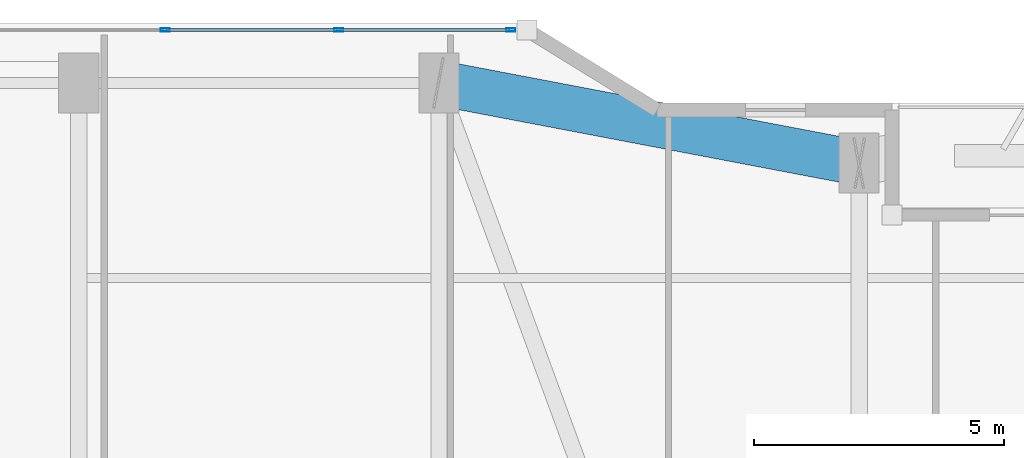
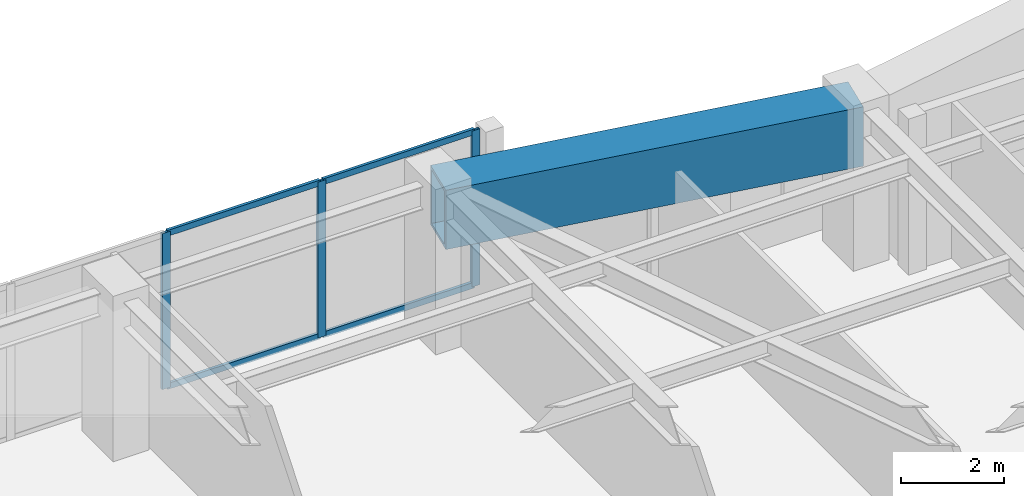
# One storey, part 19 of 30: 7 members, 1 beam, 1 element without a shape of its own.
"""IFC4 building model written with IfcOpenShell, lengths in metres."""

from ifc_helpers import new_model, si_unit, direction, frame, origin, origin_2d, place, context, subcontext, project, spatial, hollow_rectangle, extrude, material, layer, layer_set, material_profile, profile_set, type_object, element, aggregate, save


model = new_model("IFC4")

# Units and contexts
model_context = context("Model", 3, precision=1e-05, world=origin(), true_north=direction((0.0, 1.0)))
body_context = subcontext(model_context, "Body", "Model", "MODEL_VIEW")
ifc_project = project(units=[si_unit("LENGTHUNIT", "METRE"), si_unit("AREAUNIT", "SQUARE_METRE"), si_unit("VOLUMEUNIT", "CUBIC_METRE"), si_unit("PLANEANGLEUNIT", "RADIAN"), si_unit("MASSUNIT", "GRAM", prefix="KILO")], contexts=[model_context])

# Site, building, storey
site_placement = place(None, origin())
site = spatial("IfcSite", under=ifc_project, at=site_placement, CompositionType="ELEMENT")
building_placement = place(site_placement, origin())
building = spatial("IfcBuilding", under=site, at=building_placement, Name="Kiyonajd Concourse Tower", CompositionType="ELEMENT")
storey_placement = place(building_placement, frame((0.0, 0.0, 177.89990234375)))
storey = spatial("IfcBuildingStorey", under=building, at=storey_placement, Name="L45", CompositionType="ELEMENT", Elevation=177.89990234375)

# Beam
ifc_material_1 = material(Name="Steel ASTM A572 Grade 50", Category="steel")
ifc_material_profile_1 = material_profile(ifc_material_1, hollow_rectangle(XDim=0.89990234375, YDim=1.39990234375, WallThickness=0.070068359375, at=origin_2d()), Name="BOX-1400x900x70")
ifc_profile_set_1 = profile_set([ifc_material_profile_1], Name="Steel ASTM A572 Grade 50")
beam_type = type_object("IfcBeamType", Name="BM-XFER-1400", PredefinedType="BEAM", material=ifc_profile_set_1)
beam_placement = place(storey_placement, frame((48.0, 59.60009765625, 2.97998046875), z_axis=(-0.982341315253, 0.187097675953, 0.0), x_axis=(-0.187097675953, -0.982341315253, 0.0)))
element("IfcBeam", 1, at=beam_placement, inside=storey, type_object=beam_type, Name="L45 Perimeter Bundled Tube Spandrel", PredefinedType="BEAM", context=body_context, shape_type="SweptSolid", body=[
    extrude(hollow_rectangle(XDim=0.89990234375, YDim=1.39990234375, WallThickness=0.070068359375, at=origin_2d()), origin(), (0.0, 0.0, 1.0), 8.55078125),
])

# Curtain wall, members
ifc_material_2 = material(Name="Thermally Broken Anodised Aluminium", Category="aluminium")
ifc_layer = layer(ifc_material_2, 0.179931640625)
ifc_layer_set = layer_set([ifc_layer], Name="Thermally Broken Anodised Aluminium")
curtain_wall_type = type_object("IfcCurtainWallType", Name="CW-SYS-03", PredefinedType="NOTDEFINED", material=ifc_layer_set)
curtain_wall_placement = place(storey_placement, origin())
curtain_wall = element("IfcCurtainWall", 2, at=curtain_wall_placement, inside=storey, type_object=curtain_wall_type, Name="L45 Unitised Curtain Wall CW3", PredefinedType="NOTDEFINED")
ifc_material_profile_2 = material_profile(ifc_material_2, hollow_rectangle(XDim=0.06494140625, YDim=0.179931640625, WallThickness=0.00390625, at=origin_2d()), Name="MULL-65x180")
ifc_profile_set_2 = profile_set([ifc_material_profile_2], Name="Thermally Broken Anodised Aluminium")
member_type_1 = type_object("IfcMemberType", Name="MB-CW-MULL1", PredefinedType="MULLION", material=ifc_profile_set_2)
member_1_placement = place(storey_placement, frame((34.12548828125, 62.260009765625, 0.0), z_axis=(0.0, 0.0, 1.0), x_axis=(0.0, 1.0, 0.0)))
member_1 = element("IfcMember", 3, at=member_1_placement, type_object=member_type_1, Name="CW3 mullion 4", PredefinedType="MULLION", context=body_context, shape_type="SweptSolid", body=[
    extrude(hollow_rectangle(XDim=0.06494140625, YDim=0.179931640625, WallThickness=0.00390625, at=origin_2d()), origin(), (0.0, 0.0, 1.0), 3.68017578125),
])
member_2_placement = place(storey_placement, frame((37.597900390625, 62.260009765625, 0.0), z_axis=(0.0, 0.0, 1.0), x_axis=(0.0, 1.0, 0.0)))
member_2 = element("IfcMember", 4, at=member_2_placement, type_object=member_type_1, Name="CW3 mullion 5", PredefinedType="MULLION", context=body_context, shape_type="SweptSolid", body=[
    extrude(hollow_rectangle(XDim=0.06494140625, YDim=0.179931640625, WallThickness=0.00390625, at=origin_2d()), origin(), (0.0, 0.0, 1.0), 3.68017578125),
])
member_3_placement = place(storey_placement, frame((41.037841796875, 62.260009765625, 0.0), z_axis=(0.0, 0.0, 1.0), x_axis=(0.0, 1.0, 0.0)))
member_3 = element("IfcMember", 5, at=member_3_placement, type_object=member_type_1, Name="CW3 mullion 6", PredefinedType="MULLION", context=body_context, shape_type="SweptSolid", body=[
    extrude(hollow_rectangle(XDim=0.06494140625, YDim=0.179931640625, WallThickness=0.00390625, at=origin_2d()), origin(), (0.0, 0.0, 1.0), 3.68017578125),
])
ifc_material_profile_3 = material_profile(ifc_material_2, hollow_rectangle(XDim=0.06494140625, YDim=0.139892578125, WallThickness=0.00390625, at=origin_2d()), Name="TRAN-65x140")
ifc_profile_set_3 = profile_set([ifc_material_profile_3], Name="Thermally Broken Anodised Aluminium")
member_type_2 = type_object("IfcMemberType", Name="MB-CW-TRAN1", PredefinedType="USERDEFINED", material=ifc_profile_set_3)
member_4_placement = place(storey_placement, frame((34.158203125, 62.260009765625, 0.03271484375), z_axis=(1.0, 0.0, 0.0), x_axis=(0.0, 1.0, 0.0)))
member_4 = element("IfcMember", 6, at=member_4_placement, type_object=member_type_2, Name="CW3 transom 4.1", ObjectType="TRANSOM", PredefinedType="USERDEFINED", context=body_context, shape_type="SweptSolid", body=[
    extrude(hollow_rectangle(XDim=0.06494140625, YDim=0.139892578125, WallThickness=0.00390625, at=origin_2d()), origin(), (0.0, 0.0, 1.0), 3.4072265625),
])
member_5_placement = place(storey_placement, frame((34.158203125, 62.260009765625, 3.647705078125), z_axis=(1.0, 0.0, 0.0), x_axis=(0.0, 1.0, 0.0)))
member_5 = element("IfcMember", 7, at=member_5_placement, type_object=member_type_2, Name="CW3 transom 4.2", ObjectType="TRANSOM", PredefinedType="USERDEFINED", context=body_context, shape_type="SweptSolid", body=[
    extrude(hollow_rectangle(XDim=0.06494140625, YDim=0.139892578125, WallThickness=0.00390625, at=origin_2d()), origin(), (0.0, 0.0, 1.0), 3.4072265625),
])
member_6_placement = place(storey_placement, frame((37.630615234375, 62.260009765625, 0.03271484375), z_axis=(1.0, 0.0, 0.0), x_axis=(0.0, 1.0, 0.0)))
member_6 = element("IfcMember", 8, at=member_6_placement, type_object=member_type_2, Name="CW3 transom 5.1", ObjectType="TRANSOM", PredefinedType="USERDEFINED", context=body_context, shape_type="SweptSolid", body=[
    extrude(hollow_rectangle(XDim=0.06494140625, YDim=0.139892578125, WallThickness=0.00390625, at=origin_2d()), origin(), (0.0, 0.0, 1.0), 3.374755859375),
])
member_7_placement = place(storey_placement, frame((37.630615234375, 62.260009765625, 3.647705078125), z_axis=(1.0, 0.0, 0.0), x_axis=(0.0, 1.0, 0.0)))
member_7 = element("IfcMember", 9, at=member_7_placement, type_object=member_type_2, Name="CW3 transom 5.2", ObjectType="TRANSOM", PredefinedType="USERDEFINED", context=body_context, shape_type="SweptSolid", body=[
    extrude(hollow_rectangle(XDim=0.06494140625, YDim=0.139892578125, WallThickness=0.00390625, at=origin_2d()), origin(), (0.0, 0.0, 1.0), 3.374755859375),
])
aggregate(curtain_wall, [member_1, member_2, member_3, member_4, member_5, member_6, member_7])

save(model, "model.ifc")
